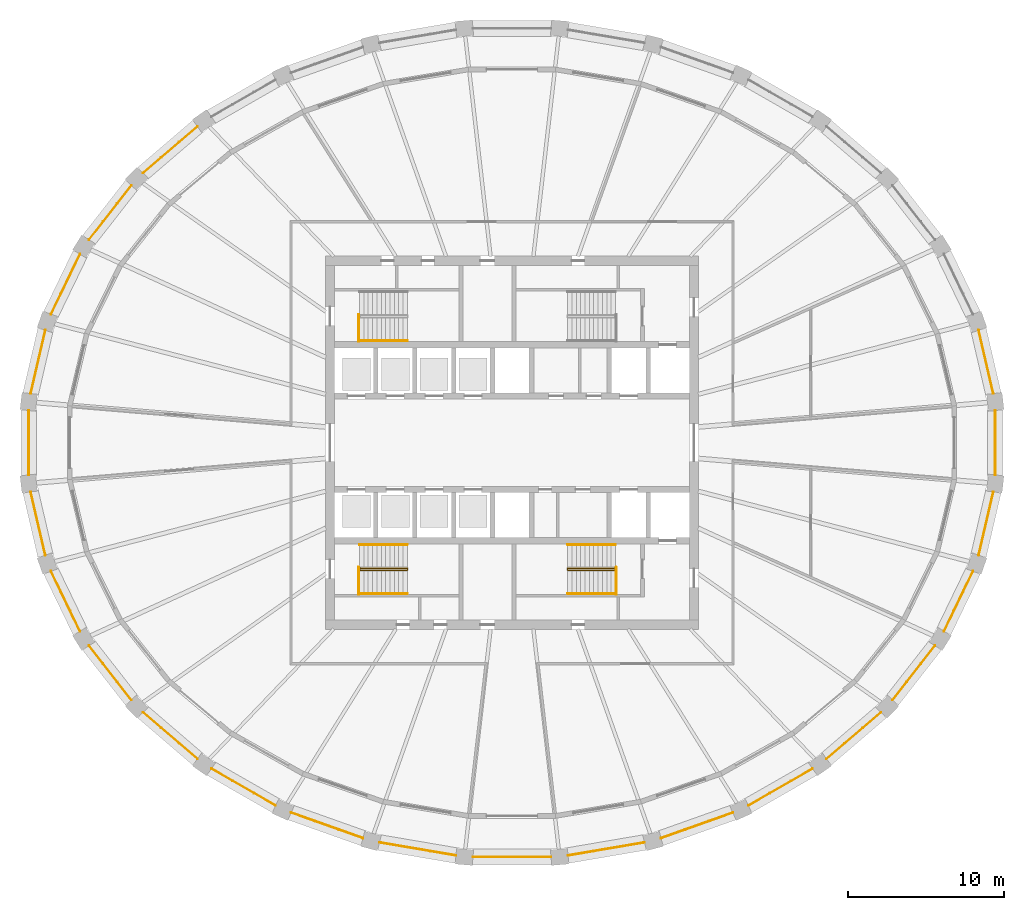
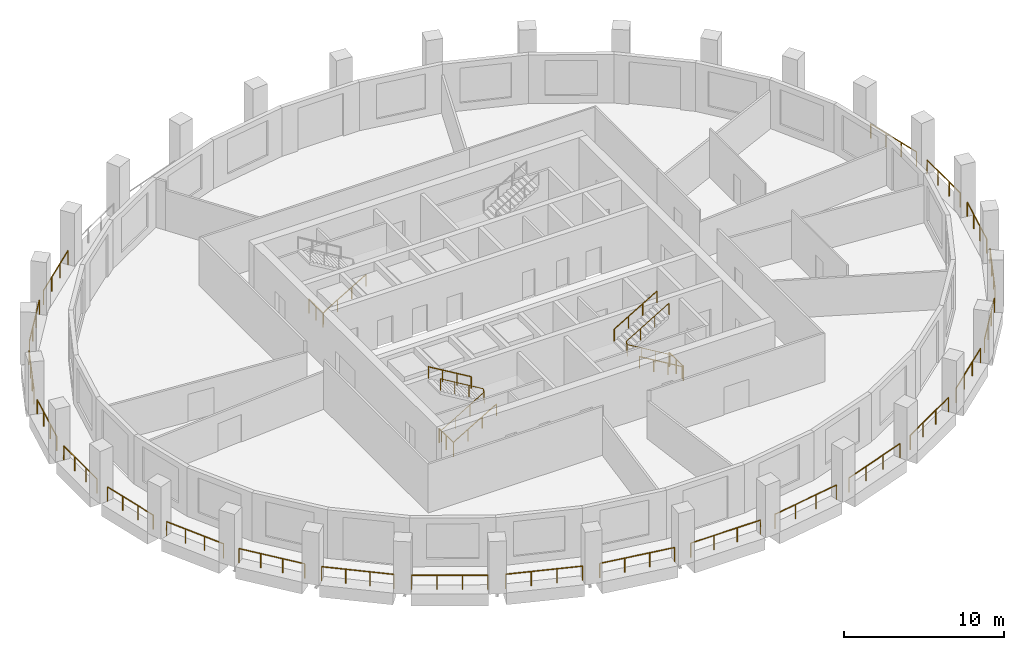
# One storey, part 8 of 10: 32 railings.
"""IFC4 building model written with IfcOpenShell, lengths in metres."""

from ifc_helpers import new_model, si_unit, direction, frame, origin, origin_2d, place, context, subcontext, project, spatial, circle, extrude, material, type_object, element, save


model = new_model("IFC4")

# Units and contexts
model_context = context("Model", 3, precision=1e-05, world=origin(), true_north=direction((0.0, 1.0)))
body_context = subcontext(model_context, "Body", "Model", "MODEL_VIEW")
ifc_project = project(units=[si_unit("LENGTHUNIT", "METRE"), si_unit("AREAUNIT", "SQUARE_METRE"), si_unit("VOLUMEUNIT", "CUBIC_METRE"), si_unit("PLANEANGLEUNIT", "RADIAN"), si_unit("MASSUNIT", "GRAM", prefix="KILO")], contexts=[model_context])

# Site, building, storey
site_placement = place(None, origin())
site = spatial("IfcSite", under=ifc_project, at=site_placement, CompositionType="ELEMENT")
building_placement = place(site_placement, origin())
building = spatial("IfcBuilding", under=site, at=building_placement, Name="Halqa Exchange Tower", CompositionType="ELEMENT")
storey_placement = place(building_placement, frame((0.0, 0.0, 242.89990234375)))
storey = spatial("IfcBuildingStorey", under=building, at=storey_placement, Name="L56", CompositionType="ELEMENT", Elevation=242.89990234375)

# Railings
ifc_material = material(Name="Stainless steel", Category="steel")
railing_type_1 = type_object("IfcRailingType", Name="Guard 1100 stainless steel", PredefinedType="GUARDRAIL", material=ifc_material)
railing_1_placement = place(storey_placement, frame((30.935791015625, 3.157958984375, 0.0)))
element("IfcRailing", 1, at=railing_1_placement, inside=storey, type_object=railing_type_1, Name="Loggia guard 1", PredefinedType="GUARDRAIL", context=body_context, shape_type="SweptSolid", body=[
    extrude(circle(Radius=0.02392578125, at=origin_2d()), frame((0.0, 0.0, 1.076171875), z_axis=(-0.226023818634, 0.974121775452, 0.0), x_axis=(-0.974121775452, -0.226023818634, 0.0)), (0.0, 0.0, 1.0), 4.18017578125),
    extrude(circle(Radius=0.02099609375, at=origin_2d()), origin(), (0.0, 0.0, 1.0), 1.052001953125),
    extrude(circle(Radius=0.02099609375, at=origin_2d()), frame((-0.31494140625, 1.357421875, 0.0)), (0.0, 0.0, 1.0), 1.052001953125),
    extrude(circle(Radius=0.02099609375, at=origin_2d()), frame((-0.6298828125, 2.714599609375, 0.0)), (0.0, 0.0, 1.0), 1.052001953125),
    extrude(circle(Radius=0.02099609375, at=origin_2d()), frame((-0.94482421875, 4.072021484375, 0.0)), (0.0, 0.0, 1.0), 1.052001953125),
])
railing_2_placement = place(storey_placement, frame((-20.21728515625, 20.321533203125, 0.0)))
element("IfcRailing", 2, at=railing_2_placement, inside=storey, type_object=railing_type_1, Name="Loggia guard 12", PredefinedType="GUARDRAIL", context=body_context, shape_type="SweptSolid", body=[
    extrude(circle(Radius=0.02392578125, at=origin_2d()), frame((0.0, 0.0, 1.076171875), z_axis=(-0.759260350244, -0.650787000905, 0.0), x_axis=(0.650787000905, -0.759260350244, 0.0)), (0.0, 0.0, 1.0), 4.59814453125),
    extrude(circle(Radius=0.02099609375, at=origin_2d()), origin(), (0.0, 0.0, 1.0), 1.052001953125),
    extrude(circle(Radius=0.02099609375, at=origin_2d()), frame((-1.163818359375, -0.99755859375, 0.0)), (0.0, 0.0, 1.0), 1.052001953125),
    extrude(circle(Radius=0.02099609375, at=origin_2d()), frame((-2.327392578125, -1.994873046875, 0.0)), (0.0, 0.0, 1.0), 1.052001953125),
    extrude(circle(Radius=0.02099609375, at=origin_2d()), frame((-3.4912109375, -2.992431640625, 0.0)), (0.0, 0.0, 1.0), 1.052001953125),
])
railing_3_placement = place(storey_placement, frame((-24.464111328125, 16.537353515625, 0.0)))
element("IfcRailing", 3, at=railing_3_placement, inside=storey, type_object=railing_type_1, Name="Loggia guard 13", PredefinedType="GUARDRAIL", context=body_context, shape_type="SweptSolid", body=[
    extrude(circle(Radius=0.02392578125, at=origin_2d()), frame((0.0, 0.0, 1.076171875), z_axis=(-0.614837099367, -0.788654132838, 0.0), x_axis=(0.788654132838, -0.614837099367, 0.0)), (0.0, 0.0, 1.0), 4.4287109375),
    extrude(circle(Radius=0.02099609375, at=origin_2d()), origin(), (0.0, 0.0, 1.0), 1.052001953125),
    extrude(circle(Radius=0.02099609375, at=origin_2d()), frame((-0.90771484375, -1.164306640625, 0.0)), (0.0, 0.0, 1.0), 1.052001953125),
    extrude(circle(Radius=0.02099609375, at=origin_2d()), frame((-1.815185546875, -2.328369140625, 0.0)), (0.0, 0.0, 1.0), 1.052001953125),
    extrude(circle(Radius=0.02099609375, at=origin_2d()), frame((-2.722900390625, -3.49267578125, 0.0)), (0.0, 0.0, 1.0), 1.052001953125),
])
railing_4_placement = place(storey_placement, frame((-27.764404296875, 12.115478515625, 0.0)))
element("IfcRailing", 4, at=railing_4_placement, inside=storey, type_object=railing_type_1, Name="Loggia guard 14", PredefinedType="GUARDRAIL", context=body_context, shape_type="SweptSolid", body=[
    extrude(circle(Radius=0.02392578125, at=origin_2d()), frame((0.0, 0.0, 1.076171875), z_axis=(-0.435128594947, -0.900368316779, 0.0), x_axis=(0.900368316779, -0.435128594947, 0.0)), (0.0, 0.0, 1.0), 4.281005859375),
    extrude(circle(Radius=0.02099609375, at=origin_2d()), origin(), (0.0, 0.0, 1.0), 1.052001953125),
    extrude(circle(Radius=0.02099609375, at=origin_2d()), frame((-0.620849609375, -1.284912109375, 0.0)), (0.0, 0.0, 1.0), 1.052001953125),
    extrude(circle(Radius=0.02099609375, at=origin_2d()), frame((-1.241943359375, -2.569580078125, 0.0)), (0.0, 0.0, 1.0), 1.052001953125),
    extrude(circle(Radius=0.02099609375, at=origin_2d()), frame((-1.86279296875, -3.8544921875, 0.0)), (0.0, 0.0, 1.0), 1.052001953125),
])
railing_5_placement = place(storey_placement, frame((-29.990966796875, 7.22998046875, 0.0)))
element("IfcRailing", 5, at=railing_5_placement, inside=storey, type_object=railing_type_1, Name="Loggia guard 15", PredefinedType="GUARDRAIL", context=body_context, shape_type="SweptSolid", body=[
    extrude(circle(Radius=0.02392578125, at=origin_2d()), frame((0.0, 0.0, 1.076171875), z_axis=(-0.226023818634, -0.974121775452, 0.0), x_axis=(0.974121775452, -0.226023818634, 0.0)), (0.0, 0.0, 1.0), 4.18017578125),
    extrude(circle(Radius=0.02099609375, at=origin_2d()), origin(), (0.0, 0.0, 1.0), 1.052001953125),
    extrude(circle(Radius=0.02099609375, at=origin_2d()), frame((-0.31494140625, -1.357421875, 0.0)), (0.0, 0.0, 1.0), 1.052001953125),
    extrude(circle(Radius=0.02099609375, at=origin_2d()), frame((-0.6298828125, -2.714599609375, 0.0)), (0.0, 0.0, 1.0), 1.052001953125),
    extrude(circle(Radius=0.02099609375, at=origin_2d()), frame((-0.94482421875, -4.072021484375, 0.0)), (0.0, 0.0, 1.0), 1.052001953125),
])
railing_6_placement = place(storey_placement, frame((-31.060302734375, 2.072021484375, 0.0)))
element("IfcRailing", 6, at=railing_6_placement, inside=storey, type_object=railing_type_1, Name="Loggia guard 16", PredefinedType="GUARDRAIL", context=body_context, shape_type="SweptSolid", body=[
    extrude(circle(Radius=0.02392578125, at=origin_2d()), frame((0.0, 0.0, 1.076171875), z_axis=(0.0, -1.0, 0.0), x_axis=(1.0, 0.0, 0.0)), (0.0, 0.0, 1.0), 4.14404296875),
    extrude(circle(Radius=0.02099609375, at=origin_2d()), origin(), (0.0, 0.0, 1.0), 1.052001953125),
    extrude(circle(Radius=0.02099609375, at=origin_2d()), frame((0.0, -1.38134765625, 0.0)), (0.0, 0.0, 1.0), 1.052001953125),
    extrude(circle(Radius=0.02099609375, at=origin_2d()), frame((0.0, -2.7626953125, 0.0)), (0.0, 0.0, 1.0), 1.052001953125),
    extrude(circle(Radius=0.02099609375, at=origin_2d()), frame((0.0, -4.14404296875, 0.0)), (0.0, 0.0, 1.0), 1.052001953125),
])
railing_7_placement = place(storey_placement, frame((-30.935791015625, -3.157958984375, 0.0)))
element("IfcRailing", 7, at=railing_7_placement, inside=storey, type_object=railing_type_1, Name="Loggia guard 17", PredefinedType="GUARDRAIL", context=body_context, shape_type="SweptSolid", body=[
    extrude(circle(Radius=0.02392578125, at=origin_2d()), frame((0.0, 0.0, 1.076171875), z_axis=(0.226023818634, -0.974121775452, 0.0), x_axis=(0.974121775452, 0.226023818634, 0.0)), (0.0, 0.0, 1.0), 4.18017578125),
    extrude(circle(Radius=0.02099609375, at=origin_2d()), origin(), (0.0, 0.0, 1.0), 1.052001953125),
    extrude(circle(Radius=0.02099609375, at=origin_2d()), frame((0.31494140625, -1.357421875, 0.0)), (0.0, 0.0, 1.0), 1.052001953125),
    extrude(circle(Radius=0.02099609375, at=origin_2d()), frame((0.6298828125, -2.714599609375, 0.0)), (0.0, 0.0, 1.0), 1.052001953125),
    extrude(circle(Radius=0.02099609375, at=origin_2d()), frame((0.94482421875, -4.072021484375, 0.0)), (0.0, 0.0, 1.0), 1.052001953125),
])
railing_8_placement = place(storey_placement, frame((-29.627197265625, -8.260986328125, 0.0)))
element("IfcRailing", 8, at=railing_8_placement, inside=storey, type_object=railing_type_1, Name="Loggia guard 18", PredefinedType="GUARDRAIL", context=body_context, shape_type="SweptSolid", body=[
    extrude(circle(Radius=0.02392578125, at=origin_2d()), frame((0.0, 0.0, 1.076171875), z_axis=(0.435128594947, -0.900368316779, 0.0), x_axis=(0.900368316779, 0.435128594947, 0.0)), (0.0, 0.0, 1.0), 4.281005859375),
    extrude(circle(Radius=0.02099609375, at=origin_2d()), origin(), (0.0, 0.0, 1.0), 1.052001953125),
    extrude(circle(Radius=0.02099609375, at=origin_2d()), frame((0.620849609375, -1.284912109375, 0.0)), (0.0, 0.0, 1.0), 1.052001953125),
    extrude(circle(Radius=0.02099609375, at=origin_2d()), frame((1.241943359375, -2.569580078125, 0.0)), (0.0, 0.0, 1.0), 1.052001953125),
    extrude(circle(Radius=0.02099609375, at=origin_2d()), frame((1.86279296875, -3.8544921875, 0.0)), (0.0, 0.0, 1.0), 1.052001953125),
])
railing_9_placement = place(storey_placement, frame((-27.18701171875, -13.044677734375, 0.0)))
element("IfcRailing", 9, at=railing_9_placement, inside=storey, type_object=railing_type_1, Name="Loggia guard 19", PredefinedType="GUARDRAIL", context=body_context, shape_type="SweptSolid", body=[
    extrude(circle(Radius=0.02392578125, at=origin_2d()), frame((0.0, 0.0, 1.076171875), z_axis=(0.614837099367, -0.788654132838, 0.0), x_axis=(0.788654132838, 0.614837099367, 0.0)), (0.0, 0.0, 1.0), 4.4287109375),
    extrude(circle(Radius=0.02099609375, at=origin_2d()), origin(), (0.0, 0.0, 1.0), 1.052001953125),
    extrude(circle(Radius=0.02099609375, at=origin_2d()), frame((0.90771484375, -1.164306640625, 0.0)), (0.0, 0.0, 1.0), 1.052001953125),
    extrude(circle(Radius=0.02099609375, at=origin_2d()), frame((1.815185546875, -2.328369140625, 0.0)), (0.0, 0.0, 1.0), 1.052001953125),
    extrude(circle(Radius=0.02099609375, at=origin_2d()), frame((2.722900390625, -3.49267578125, 0.0)), (0.0, 0.0, 1.0), 1.052001953125),
])
railing_10_placement = place(storey_placement, frame((-23.70849609375, -17.3291015625, 0.0)))
element("IfcRailing", 10, at=railing_10_placement, inside=storey, type_object=railing_type_1, Name="Loggia guard 20", PredefinedType="GUARDRAIL", context=body_context, shape_type="SweptSolid", body=[
    extrude(circle(Radius=0.02392578125, at=origin_2d()), frame((0.0, 0.0, 1.076171875), z_axis=(0.759260350244, -0.650787000905, 0.0), x_axis=(0.650787000905, 0.759260350244, 0.0)), (0.0, 0.0, 1.0), 4.59814453125),
    extrude(circle(Radius=0.02099609375, at=origin_2d()), origin(), (0.0, 0.0, 1.0), 1.052001953125),
    extrude(circle(Radius=0.02099609375, at=origin_2d()), frame((1.163818359375, -0.99755859375, 0.0)), (0.0, 0.0, 1.0), 1.052001953125),
    extrude(circle(Radius=0.02099609375, at=origin_2d()), frame((2.327392578125, -1.994873046875, 0.0)), (0.0, 0.0, 1.0), 1.052001953125),
    extrude(circle(Radius=0.02099609375, at=origin_2d()), frame((3.4912109375, -2.992431640625, 0.0)), (0.0, 0.0, 1.0), 1.052001953125),
])
railing_11_placement = place(storey_placement, frame((-19.322509765625, -20.952880859375, 0.0)))
element("IfcRailing", 11, at=railing_11_placement, inside=storey, type_object=railing_type_1, Name="Loggia guard 21", PredefinedType="GUARDRAIL", context=body_context, shape_type="SweptSolid", body=[
    extrude(circle(Radius=0.02392578125, at=origin_2d()), frame((0.0, 0.0, 1.076171875), z_axis=(0.867760081541, -0.496983340651, 0.0), x_axis=(0.496983340651, 0.867760081541, 0.0)), (0.0, 0.0, 1.0), 4.7626953125),
    extrude(circle(Radius=0.02099609375, at=origin_2d()), origin(), (0.0, 0.0, 1.0), 1.052001953125),
    extrude(circle(Radius=0.02099609375, at=origin_2d()), frame((1.377685546875, -0.7890625, 0.0)), (0.0, 0.0, 1.0), 1.052001953125),
    extrude(circle(Radius=0.02099609375, at=origin_2d()), frame((2.755126953125, -1.577880859375, 0.0)), (0.0, 0.0, 1.0), 1.052001953125),
    extrude(circle(Radius=0.02099609375, at=origin_2d()), frame((4.1328125, -2.366943359375, 0.0)), (0.0, 0.0, 1.0), 1.052001953125),
])
railing_12_placement = place(storey_placement, frame((-14.194091796875, -23.777099609375, 0.0)))
element("IfcRailing", 12, at=railing_12_placement, inside=storey, type_object=railing_type_1, Name="Loggia guard 22", PredefinedType="GUARDRAIL", context=body_context, shape_type="SweptSolid", body=[
    extrude(circle(Radius=0.02392578125, at=origin_2d()), frame((0.0, 0.0, 1.076171875), z_axis=(0.942363882557, -0.334589768002, 0.0), x_axis=(0.334589768002, 0.942363882557, 0.0)), (0.0, 0.0, 1.0), 4.898193359375),
    extrude(circle(Radius=0.02099609375, at=origin_2d()), origin(), (0.0, 0.0, 1.0), 1.052001953125),
    extrude(circle(Radius=0.02099609375, at=origin_2d()), frame((1.53857421875, -0.54638671875, 0.0)), (0.0, 0.0, 1.0), 1.052001953125),
    extrude(circle(Radius=0.02099609375, at=origin_2d()), frame((3.077392578125, -1.092529296875, 0.0)), (0.0, 0.0, 1.0), 1.052001953125),
    extrude(circle(Radius=0.02099609375, at=origin_2d()), frame((4.615966796875, -1.638916015625, 0.0)), (0.0, 0.0, 1.0), 1.052001953125),
])
railing_13_placement = place(storey_placement, frame((-8.517578125, -25.6923828125, 0.0)))
element("IfcRailing", 13, at=railing_13_placement, inside=storey, type_object=railing_type_1, Name="Loggia guard 23", PredefinedType="GUARDRAIL", context=body_context, shape_type="SweptSolid", body=[
    extrude(circle(Radius=0.02392578125, at=origin_2d()), frame((0.0, 0.0, 1.076171875), z_axis=(0.985769089501, -0.16810503319, 0.0), x_axis=(0.16810503319, 0.985769089501, 0.0)), (0.0, 0.0, 1.0), 4.9873046875),
    extrude(circle(Radius=0.02099609375, at=origin_2d()), origin(), (0.0, 0.0, 1.0), 1.052001953125),
    extrude(circle(Radius=0.02099609375, at=origin_2d()), frame((1.638671875, -0.279541015625, 0.0)), (0.0, 0.0, 1.0), 1.052001953125),
    extrude(circle(Radius=0.02099609375, at=origin_2d()), frame((3.277587890625, -0.558837890625, 0.0)), (0.0, 0.0, 1.0), 1.052001953125),
    extrude(circle(Radius=0.02099609375, at=origin_2d()), frame((4.916259765625, -0.83837890625, 0.0)), (0.0, 0.0, 1.0), 1.052001953125),
])
railing_14_placement = place(storey_placement, frame((-2.50927734375, -26.623046875, 0.0)))
element("IfcRailing", 14, at=railing_14_placement, inside=storey, type_object=railing_type_1, Name="Loggia guard 24", PredefinedType="GUARDRAIL", context=body_context, shape_type="SweptSolid", body=[
    extrude(circle(Radius=0.02392578125, at=origin_2d()), frame((0.0, 0.0, 1.076171875), z_axis=(1.0, 0.0, 0.0), x_axis=(0.0, 1.0, 0.0)), (0.0, 0.0, 1.0), 5.0185546875),
    extrude(circle(Radius=0.02099609375, at=origin_2d()), origin(), (0.0, 0.0, 1.0), 1.052001953125),
    extrude(circle(Radius=0.02099609375, at=origin_2d()), frame((1.6728515625, 0.0, 0.0)), (0.0, 0.0, 1.0), 1.052001953125),
    extrude(circle(Radius=0.02099609375, at=origin_2d()), frame((3.345703125, 0.0, 0.0)), (0.0, 0.0, 1.0), 1.052001953125),
    extrude(circle(Radius=0.02099609375, at=origin_2d()), frame((5.0185546875, 0.0, 0.0)), (0.0, 0.0, 1.0), 1.052001953125),
])
railing_15_placement = place(storey_placement, frame((3.601318359375, -26.53076171875, 0.0)))
element("IfcRailing", 15, at=railing_15_placement, inside=storey, type_object=railing_type_1, Name="Loggia guard 25", PredefinedType="GUARDRAIL", context=body_context, shape_type="SweptSolid", body=[
    extrude(circle(Radius=0.02392578125, at=origin_2d()), frame((0.0, 0.0, 1.076171875), z_axis=(0.985769089501, 0.16810503319, 0.0), x_axis=(-0.16810503319, 0.985769089501, 0.0)), (0.0, 0.0, 1.0), 4.9873046875),
    extrude(circle(Radius=0.02099609375, at=origin_2d()), origin(), (0.0, 0.0, 1.0), 1.052001953125),
    extrude(circle(Radius=0.02099609375, at=origin_2d()), frame((1.638671875, 0.279541015625, 0.0)), (0.0, 0.0, 1.0), 1.052001953125),
    extrude(circle(Radius=0.02099609375, at=origin_2d()), frame((3.277587890625, 0.558837890625, 0.0)), (0.0, 0.0, 1.0), 1.052001953125),
    extrude(circle(Radius=0.02099609375, at=origin_2d()), frame((4.916259765625, 0.83837890625, 0.0)), (0.0, 0.0, 1.0), 1.052001953125),
])
railing_16_placement = place(storey_placement, frame((9.578125, -25.416015625, 0.0)))
element("IfcRailing", 16, at=railing_16_placement, inside=storey, type_object=railing_type_1, Name="Loggia guard 26", PredefinedType="GUARDRAIL", context=body_context, shape_type="SweptSolid", body=[
    extrude(circle(Radius=0.02392578125, at=origin_2d()), frame((0.0, 0.0, 1.076171875), z_axis=(0.942363882557, 0.334589768002, 0.0), x_axis=(-0.334589768002, 0.942363882557, 0.0)), (0.0, 0.0, 1.0), 4.898193359375),
    extrude(circle(Radius=0.02099609375, at=origin_2d()), origin(), (0.0, 0.0, 1.0), 1.052001953125),
    extrude(circle(Radius=0.02099609375, at=origin_2d()), frame((1.53857421875, 0.54638671875, 0.0)), (0.0, 0.0, 1.0), 1.052001953125),
    extrude(circle(Radius=0.02099609375, at=origin_2d()), frame((3.077392578125, 1.092529296875, 0.0)), (0.0, 0.0, 1.0), 1.052001953125),
    extrude(circle(Radius=0.02099609375, at=origin_2d()), frame((4.615966796875, 1.638916015625, 0.0)), (0.0, 0.0, 1.0), 1.052001953125),
])
railing_17_placement = place(storey_placement, frame((15.189697265625, -23.31982421875, 0.0)))
element("IfcRailing", 17, at=railing_17_placement, inside=storey, type_object=railing_type_1, Name="Loggia guard 27", PredefinedType="GUARDRAIL", context=body_context, shape_type="SweptSolid", body=[
    extrude(circle(Radius=0.02392578125, at=origin_2d()), frame((0.0, 0.0, 1.076171875), z_axis=(0.867760081541, 0.496983340651, 0.0), x_axis=(-0.496983340651, 0.867760081541, 0.0)), (0.0, 0.0, 1.0), 4.7626953125),
    extrude(circle(Radius=0.02099609375, at=origin_2d()), origin(), (0.0, 0.0, 1.0), 1.052001953125),
    extrude(circle(Radius=0.02099609375, at=origin_2d()), frame((1.377685546875, 0.7890625, 0.0)), (0.0, 0.0, 1.0), 1.052001953125),
    extrude(circle(Radius=0.02099609375, at=origin_2d()), frame((2.755126953125, 1.577880859375, 0.0)), (0.0, 0.0, 1.0), 1.052001953125),
    extrude(circle(Radius=0.02099609375, at=origin_2d()), frame((4.1328125, 2.366943359375, 0.0)), (0.0, 0.0, 1.0), 1.052001953125),
])
railing_18_placement = place(storey_placement, frame((20.21728515625, -20.321533203125, 0.0)))
element("IfcRailing", 18, at=railing_18_placement, inside=storey, type_object=railing_type_1, Name="Loggia guard 28", PredefinedType="GUARDRAIL", context=body_context, shape_type="SweptSolid", body=[
    extrude(circle(Radius=0.02392578125, at=origin_2d()), frame((0.0, 0.0, 1.076171875), z_axis=(0.759260350244, 0.650787000905, 0.0), x_axis=(-0.650787000905, 0.759260350244, 0.0)), (0.0, 0.0, 1.0), 4.59814453125),
    extrude(circle(Radius=0.02099609375, at=origin_2d()), origin(), (0.0, 0.0, 1.0), 1.052001953125),
    extrude(circle(Radius=0.02099609375, at=origin_2d()), frame((1.163818359375, 0.99755859375, 0.0)), (0.0, 0.0, 1.0), 1.052001953125),
    extrude(circle(Radius=0.02099609375, at=origin_2d()), frame((2.327392578125, 1.994873046875, 0.0)), (0.0, 0.0, 1.0), 1.052001953125),
    extrude(circle(Radius=0.02099609375, at=origin_2d()), frame((3.4912109375, 2.992431640625, 0.0)), (0.0, 0.0, 1.0), 1.052001953125),
])
railing_19_placement = place(storey_placement, frame((24.464111328125, -16.537353515625, 0.0)))
element("IfcRailing", 19, at=railing_19_placement, inside=storey, type_object=railing_type_1, Name="Loggia guard 29", PredefinedType="GUARDRAIL", context=body_context, shape_type="SweptSolid", body=[
    extrude(circle(Radius=0.02392578125, at=origin_2d()), frame((0.0, 0.0, 1.076171875), z_axis=(0.614837099367, 0.788654132838, 0.0), x_axis=(-0.788654132838, 0.614837099367, 0.0)), (0.0, 0.0, 1.0), 4.4287109375),
    extrude(circle(Radius=0.02099609375, at=origin_2d()), origin(), (0.0, 0.0, 1.0), 1.052001953125),
    extrude(circle(Radius=0.02099609375, at=origin_2d()), frame((0.90771484375, 1.164306640625, 0.0)), (0.0, 0.0, 1.0), 1.052001953125),
    extrude(circle(Radius=0.02099609375, at=origin_2d()), frame((1.815185546875, 2.328369140625, 0.0)), (0.0, 0.0, 1.0), 1.052001953125),
    extrude(circle(Radius=0.02099609375, at=origin_2d()), frame((2.722900390625, 3.49267578125, 0.0)), (0.0, 0.0, 1.0), 1.052001953125),
])
railing_20_placement = place(storey_placement, frame((27.764404296875, -12.115478515625, 0.0)))
element("IfcRailing", 20, at=railing_20_placement, inside=storey, type_object=railing_type_1, Name="Loggia guard 30", PredefinedType="GUARDRAIL", context=body_context, shape_type="SweptSolid", body=[
    extrude(circle(Radius=0.02392578125, at=origin_2d()), frame((0.0, 0.0, 1.076171875), z_axis=(0.435128594947, 0.900368316779, 0.0), x_axis=(-0.900368316779, 0.435128594947, 0.0)), (0.0, 0.0, 1.0), 4.281005859375),
    extrude(circle(Radius=0.02099609375, at=origin_2d()), origin(), (0.0, 0.0, 1.0), 1.052001953125),
    extrude(circle(Radius=0.02099609375, at=origin_2d()), frame((0.620849609375, 1.284912109375, 0.0)), (0.0, 0.0, 1.0), 1.052001953125),
    extrude(circle(Radius=0.02099609375, at=origin_2d()), frame((1.241943359375, 2.569580078125, 0.0)), (0.0, 0.0, 1.0), 1.052001953125),
    extrude(circle(Radius=0.02099609375, at=origin_2d()), frame((1.86279296875, 3.8544921875, 0.0)), (0.0, 0.0, 1.0), 1.052001953125),
])
railing_21_placement = place(storey_placement, frame((29.990966796875, -7.22998046875, 0.0)))
element("IfcRailing", 21, at=railing_21_placement, inside=storey, type_object=railing_type_1, Name="Loggia guard 31", PredefinedType="GUARDRAIL", context=body_context, shape_type="SweptSolid", body=[
    extrude(circle(Radius=0.02392578125, at=origin_2d()), frame((0.0, 0.0, 1.076171875), z_axis=(0.226023818634, 0.974121775452, 0.0), x_axis=(-0.974121775452, 0.226023818634, 0.0)), (0.0, 0.0, 1.0), 4.18017578125),
    extrude(circle(Radius=0.02099609375, at=origin_2d()), origin(), (0.0, 0.0, 1.0), 1.052001953125),
    extrude(circle(Radius=0.02099609375, at=origin_2d()), frame((0.31494140625, 1.357421875, 0.0)), (0.0, 0.0, 1.0), 1.052001953125),
    extrude(circle(Radius=0.02099609375, at=origin_2d()), frame((0.6298828125, 2.714599609375, 0.0)), (0.0, 0.0, 1.0), 1.052001953125),
    extrude(circle(Radius=0.02099609375, at=origin_2d()), frame((0.94482421875, 4.072021484375, 0.0)), (0.0, 0.0, 1.0), 1.052001953125),
])
railing_22_placement = place(storey_placement, frame((31.060302734375, -2.072021484375, 0.0)))
element("IfcRailing", 22, at=railing_22_placement, inside=storey, type_object=railing_type_1, Name="Loggia guard 32", PredefinedType="GUARDRAIL", context=body_context, shape_type="SweptSolid", body=[
    extrude(circle(Radius=0.02392578125, at=origin_2d()), frame((0.0, 0.0, 1.076171875), z_axis=(0.0, 1.0, 0.0), x_axis=(-1.0, 0.0, 0.0)), (0.0, 0.0, 1.0), 4.14404296875),
    extrude(circle(Radius=0.02099609375, at=origin_2d()), origin(), (0.0, 0.0, 1.0), 1.052001953125),
    extrude(circle(Radius=0.02099609375, at=origin_2d()), frame((0.0, 1.38134765625, 0.0)), (0.0, 0.0, 1.0), 1.052001953125),
    extrude(circle(Radius=0.02099609375, at=origin_2d()), frame((0.0, 2.7626953125, 0.0)), (0.0, 0.0, 1.0), 1.052001953125),
    extrude(circle(Radius=0.02099609375, at=origin_2d()), frame((0.0, 4.14404296875, 0.0)), (0.0, 0.0, 1.0), 1.052001953125),
])
railing_type_2 = type_object("IfcRailingType", Name="Stair handrail 900", PredefinedType="HANDRAIL", material=ifc_material)
railing_23_placement = place(storey_placement, frame((-9.800048828125, 6.550048828125, 0.166748046875)))
element("IfcRailing", 23, at=railing_23_placement, inside=storey, type_object=railing_type_2, Name="Handrail ST1.2", PredefinedType="HANDRAIL", context=body_context, shape_type="SweptSolid", body=[
    extrude(circle(Radius=0.02392578125, at=origin_2d()), frame((0.0, 0.0, 0.8759765625), z_axis=(0.859308565015, 0.0, 0.511457515432), x_axis=(0.0, 1.0, 0.0)), (0.0, 0.0, 1.0), 3.58447265625),
    extrude(circle(Radius=0.02099609375, at=origin_2d()), origin(), (0.0, 0.0, 1.0), 0.851806640625),
    extrude(circle(Radius=0.02099609375, at=origin_2d()), frame((1.026611328125, 0.0, 0.611083984375)), (0.0, 0.0, 1.0), 0.851806640625),
    extrude(circle(Radius=0.02099609375, at=origin_2d()), frame((2.053466796875, 0.0, 1.22216796875)), (0.0, 0.0, 1.0), 0.851806640625),
    extrude(circle(Radius=0.02099609375, at=origin_2d()), frame((3.080078125, 0.0, 1.833251953125)), (0.0, 0.0, 1.0), 0.851806640625),
])
railing_24_placement = place(storey_placement, frame((-9.800048828125, -8.18994140625, 0.166748046875)))
element("IfcRailing", 24, at=railing_24_placement, inside=storey, type_object=railing_type_2, Name="Handrail ST3.1", PredefinedType="HANDRAIL", context=body_context, shape_type="SweptSolid", body=[
    extrude(circle(Radius=0.02392578125, at=origin_2d()), frame((0.0, 0.0, 0.8759765625), z_axis=(0.859308565015, 0.0, 0.511457515432), x_axis=(0.0, 1.0, 0.0)), (0.0, 0.0, 1.0), 3.58447265625),
    extrude(circle(Radius=0.02392578125, at=origin_2d()), frame((3.080078125, 0.0, 2.708984375), z_axis=(0.0, 0.614500226555, 0.788916644243), x_axis=(-1.0, 0.0, 0.0)), (0.0, 0.0, 1.0), 0.21142578125),
    extrude(circle(Radius=0.02392578125, at=origin_2d()), frame((3.080078125, 0.1298828125, 2.8759765625), z_axis=(-0.859308565015, 0.0, 0.511457515432), x_axis=(0.0, -1.0, 0.0)), (0.0, 0.0, 1.0), 3.58447265625),
    extrude(circle(Radius=0.02099609375, at=origin_2d()), origin(), (0.0, 0.0, 1.0), 0.851806640625),
    extrude(circle(Radius=0.02099609375, at=origin_2d()), frame((1.026611328125, 0.0, 0.611083984375)), (0.0, 0.0, 1.0), 0.851806640625),
    extrude(circle(Radius=0.02099609375, at=origin_2d()), frame((2.053466796875, 0.0, 1.22216796875)), (0.0, 0.0, 1.0), 0.851806640625),
    extrude(circle(Radius=0.02099609375, at=origin_2d()), frame((3.080078125, 0.0, 1.833251953125)), (0.0, 0.0, 1.0), 0.851806640625),
    extrude(circle(Radius=0.02099609375, at=origin_2d()), frame((3.080078125, 0.1298828125, 2.0)), (0.0, 0.0, 1.0), 0.851806640625),
    extrude(circle(Radius=0.02099609375, at=origin_2d()), frame((2.053466796875, 0.1298828125, 2.611083984375)), (0.0, 0.0, 1.0), 0.851806640625),
    extrude(circle(Radius=0.02099609375, at=origin_2d()), frame((1.026611328125, 0.1298828125, 3.22216796875)), (0.0, 0.0, 1.0), 0.851806640625),
    extrude(circle(Radius=0.02099609375, at=origin_2d()), frame((0.0, 0.1298828125, 3.833251953125)), (0.0, 0.0, 1.0), 0.851806640625),
])
railing_25_placement = place(storey_placement, frame((-9.800048828125, -9.699951171875, 0.166748046875)))
element("IfcRailing", 25, at=railing_25_placement, inside=storey, type_object=railing_type_2, Name="Handrail ST3.2", PredefinedType="HANDRAIL", context=body_context, shape_type="SweptSolid", body=[
    extrude(circle(Radius=0.02392578125, at=origin_2d()), frame((0.0, 0.0, 0.8759765625), z_axis=(0.859308565015, 0.0, 0.511457515432), x_axis=(0.0, 1.0, 0.0)), (0.0, 0.0, 1.0), 3.58447265625),
    extrude(circle(Radius=0.02099609375, at=origin_2d()), origin(), (0.0, 0.0, 1.0), 0.851806640625),
    extrude(circle(Radius=0.02099609375, at=origin_2d()), frame((1.026611328125, 0.0, 0.611083984375)), (0.0, 0.0, 1.0), 0.851806640625),
    extrude(circle(Radius=0.02099609375, at=origin_2d()), frame((2.053466796875, 0.0, 1.22216796875)), (0.0, 0.0, 1.0), 0.851806640625),
    extrude(circle(Radius=0.02099609375, at=origin_2d()), frame((3.080078125, 0.0, 1.833251953125)), (0.0, 0.0, 1.0), 0.851806640625),
])
railing_26_placement = place(storey_placement, frame((-6.719970703125, -6.550048828125, 2.166748046875)))
element("IfcRailing", 26, at=railing_26_placement, inside=storey, type_object=railing_type_2, Name="Handrail ST3.3", PredefinedType="HANDRAIL", context=body_context, shape_type="SweptSolid", body=[
    extrude(circle(Radius=0.02392578125, at=origin_2d()), frame((0.0, 0.0, 0.8759765625), z_axis=(-0.859308565015, 0.0, 0.511457515432), x_axis=(0.0, -1.0, 0.0)), (0.0, 0.0, 1.0), 3.58447265625),
    extrude(circle(Radius=0.02099609375, at=origin_2d()), origin(), (0.0, 0.0, 1.0), 0.851806640625),
    extrude(circle(Radius=0.02099609375, at=origin_2d()), frame((-1.026611328125, 0.0, 0.611083984375)), (0.0, 0.0, 1.0), 0.851806640625),
    extrude(circle(Radius=0.02099609375, at=origin_2d()), frame((-2.053466796875, 0.0, 1.22216796875)), (0.0, 0.0, 1.0), 0.851806640625),
    extrude(circle(Radius=0.02099609375, at=origin_2d()), frame((-3.080078125, 0.0, 1.833251953125)), (0.0, 0.0, 1.0), 0.851806640625),
])
railing_27_placement = place(storey_placement, frame((6.64990234375, -8.18994140625, 0.166748046875)))
element("IfcRailing", 27, at=railing_27_placement, inside=storey, type_object=railing_type_2, Name="Handrail ST4.1", PredefinedType="HANDRAIL", context=body_context, shape_type="SweptSolid", body=[
    extrude(circle(Radius=0.02392578125, at=origin_2d()), frame((0.0, 0.0, 0.8759765625), z_axis=(-0.859290745958, 0.0, 0.51148745235), x_axis=(0.0, -1.0, 0.0)), (0.0, 0.0, 1.0), 3.584228515625),
    extrude(circle(Radius=0.02392578125, at=origin_2d()), frame((-3.079833984375, 0.0, 2.708984375), z_axis=(0.0, 0.614500226555, 0.788916644243), x_axis=(-1.0, 0.0, 0.0)), (0.0, 0.0, 1.0), 0.21142578125),
    extrude(circle(Radius=0.02392578125, at=origin_2d()), frame((-3.079833984375, 0.1298828125, 2.8759765625), z_axis=(0.859290745958, 0.0, 0.51148745235), x_axis=(0.0, 1.0, 0.0)), (0.0, 0.0, 1.0), 3.584228515625),
    extrude(circle(Radius=0.02099609375, at=origin_2d()), origin(), (0.0, 0.0, 1.0), 0.851806640625),
    extrude(circle(Radius=0.02099609375, at=origin_2d()), frame((-1.026611328125, 0.0, 0.611083984375)), (0.0, 0.0, 1.0), 0.851806640625),
    extrude(circle(Radius=0.02099609375, at=origin_2d()), frame((-2.05322265625, 0.0, 1.22216796875)), (0.0, 0.0, 1.0), 0.851806640625),
    extrude(circle(Radius=0.02099609375, at=origin_2d()), frame((-3.079833984375, 0.0, 1.833251953125)), (0.0, 0.0, 1.0), 0.851806640625),
    extrude(circle(Radius=0.02099609375, at=origin_2d()), frame((-3.079833984375, 0.1298828125, 2.0)), (0.0, 0.0, 1.0), 0.851806640625),
    extrude(circle(Radius=0.02099609375, at=origin_2d()), frame((-2.05322265625, 0.1298828125, 2.611083984375)), (0.0, 0.0, 1.0), 0.851806640625),
    extrude(circle(Radius=0.02099609375, at=origin_2d()), frame((-1.026611328125, 0.1298828125, 3.22216796875)), (0.0, 0.0, 1.0), 0.851806640625),
    extrude(circle(Radius=0.02099609375, at=origin_2d()), frame((0.0, 0.1298828125, 3.833251953125)), (0.0, 0.0, 1.0), 0.851806640625),
])
railing_28_placement = place(storey_placement, frame((6.64990234375, -9.699951171875, 0.166748046875)))
element("IfcRailing", 28, at=railing_28_placement, inside=storey, type_object=railing_type_2, Name="Handrail ST4.2", PredefinedType="HANDRAIL", context=body_context, shape_type="SweptSolid", body=[
    extrude(circle(Radius=0.02392578125, at=origin_2d()), frame((0.0, 0.0, 0.8759765625), z_axis=(-0.859290745958, 0.0, 0.51148745235), x_axis=(0.0, -1.0, 0.0)), (0.0, 0.0, 1.0), 3.584228515625),
    extrude(circle(Radius=0.02099609375, at=origin_2d()), origin(), (0.0, 0.0, 1.0), 0.851806640625),
    extrude(circle(Radius=0.02099609375, at=origin_2d()), frame((-1.026611328125, 0.0, 0.611083984375)), (0.0, 0.0, 1.0), 0.851806640625),
    extrude(circle(Radius=0.02099609375, at=origin_2d()), frame((-2.05322265625, 0.0, 1.22216796875)), (0.0, 0.0, 1.0), 0.851806640625),
    extrude(circle(Radius=0.02099609375, at=origin_2d()), frame((-3.079833984375, 0.0, 1.833251953125)), (0.0, 0.0, 1.0), 0.851806640625),
])
railing_29_placement = place(storey_placement, frame((3.570068359375, -6.550048828125, 2.166748046875)))
element("IfcRailing", 29, at=railing_29_placement, inside=storey, type_object=railing_type_2, Name="Handrail ST4.3", PredefinedType="HANDRAIL", context=body_context, shape_type="SweptSolid", body=[
    extrude(circle(Radius=0.02392578125, at=origin_2d()), frame((0.0, 0.0, 0.8759765625), z_axis=(0.859290745958, 0.0, 0.51148745235), x_axis=(0.0, 1.0, 0.0)), (0.0, 0.0, 1.0), 3.584228515625),
    extrude(circle(Radius=0.02099609375, at=origin_2d()), origin(), (0.0, 0.0, 1.0), 0.851806640625),
    extrude(circle(Radius=0.02099609375, at=origin_2d()), frame((1.026611328125, 0.0, 0.611083984375)), (0.0, 0.0, 1.0), 0.851806640625),
    extrude(circle(Radius=0.02099609375, at=origin_2d()), frame((2.05322265625, 0.0, 1.22216796875)), (0.0, 0.0, 1.0), 0.851806640625),
    extrude(circle(Radius=0.02099609375, at=origin_2d()), frame((3.079833984375, 0.0, 1.833251953125)), (0.0, 0.0, 1.0), 0.851806640625),
])
railing_type_3 = type_object("IfcRailingType", Name="Stair well guard 1100", PredefinedType="GUARDRAIL", material=ifc_material)
for number, where, name in (
    (30, (-9.85009765625, 6.5, 0.0), "Guard ST1 well"),
    (31, (-9.85009765625, -9.75, 0.0), "Guard ST3 well"),
    (32, (6.699951171875, -9.75, 0.0), "Guard ST4 well"),
):
    element("IfcRailing", number, at=place(storey_placement, frame(where)), inside=storey, type_object=railing_type_3, Name=name, PredefinedType="GUARDRAIL", context=body_context, shape_type="SweptSolid", body=[
        extrude(circle(Radius=0.02392578125, at=origin_2d()), frame((0.0, 0.0, 1.076171875), z_axis=(0.0, 1.0, 0.0), x_axis=(-1.0, 0.0, 0.0)), (0.0, 0.0, 1.0), 1.75),
        extrude(circle(Radius=0.02099609375, at=origin_2d()), origin(), (0.0, 0.0, 1.0), 1.052001953125),
        extrude(circle(Radius=0.02099609375, at=origin_2d()), frame((0.0, 0.875, 0.0)), (0.0, 0.0, 1.0), 1.052001953125),
        extrude(circle(Radius=0.02099609375, at=origin_2d()), frame((0.0, 1.75, 0.0)), (0.0, 0.0, 1.0), 1.052001953125),
    ])

save(model, "model.ifc")
